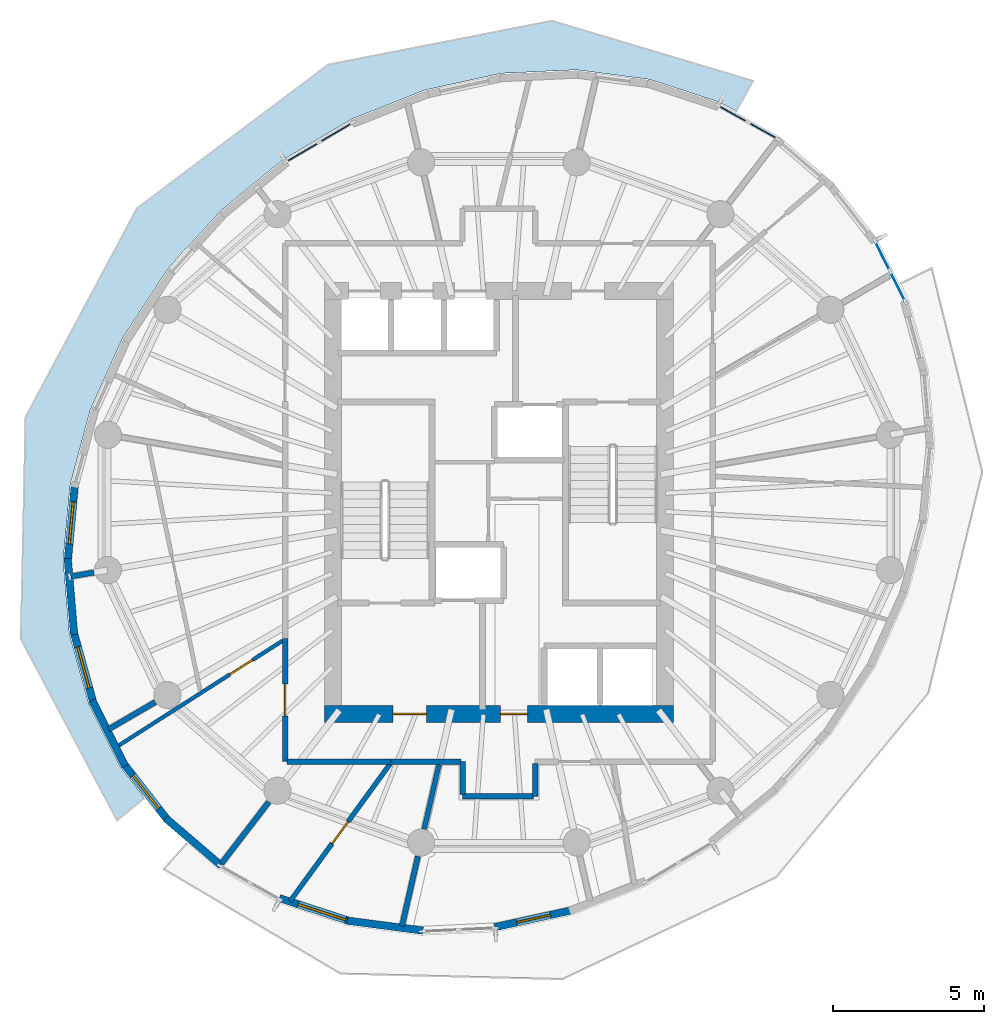
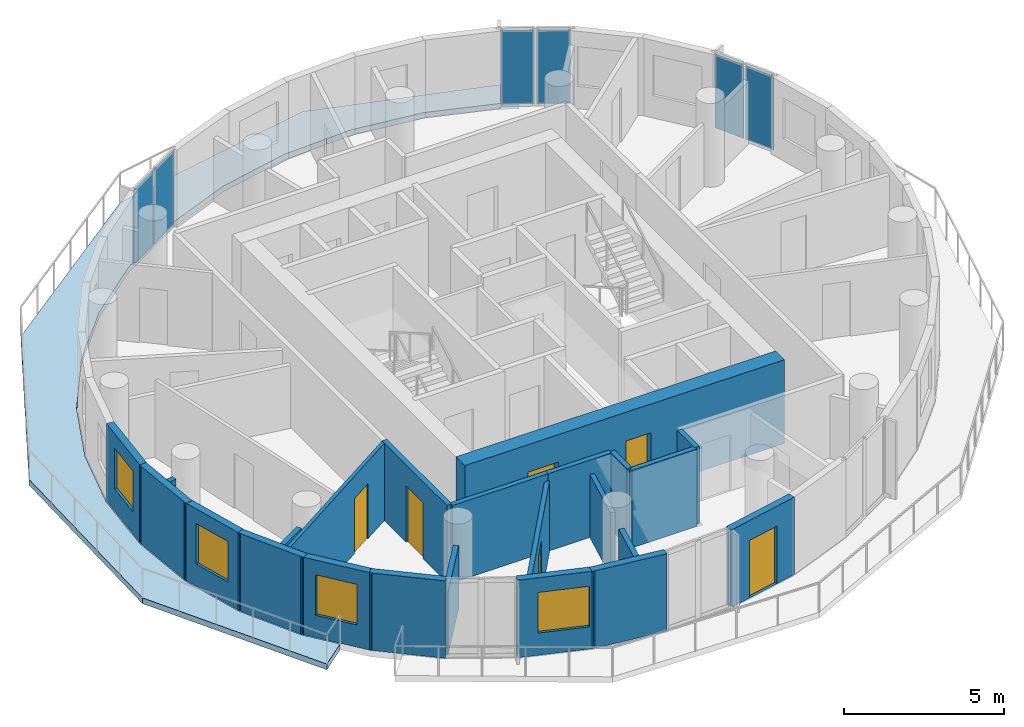
# One storey, part 4 of 10: 23 walls, 6 doors, 6 plates, 4 windows, 1 slab, 10 openings, 3 elements without a shape of their own.
"""IFC4 building model written with IfcOpenShell, lengths in metres."""

from ifc_helpers import new_model, si_unit, direction, frame, frame_2d, origin, origin_2d, place, context, subcontext, project, spatial, polyline, rectangle, outline, extrude, material, layer, layer_set, type_object, element, fill, aggregate, save


model = new_model("IFC4")

# Units and contexts
model_context = context("Model", 3, precision=1e-05, world=origin(), true_north=direction((0.0, 1.0)))
body_context = subcontext(model_context, "Body", "Model", "MODEL_VIEW")
ifc_project = project(units=[si_unit("LENGTHUNIT", "METRE"), si_unit("AREAUNIT", "SQUARE_METRE"), si_unit("VOLUMEUNIT", "CUBIC_METRE"), si_unit("PLANEANGLEUNIT", "RADIAN"), si_unit("MASSUNIT", "GRAM", prefix="KILO")], contexts=[model_context])

# Site, building, storey
site_placement = place(None, origin())
site = spatial("IfcSite", under=ifc_project, at=site_placement, CompositionType="ELEMENT")
building_placement = place(site_placement, origin())
building = spatial("IfcBuilding", under=site, at=building_placement, Name="Veldorim Arch Residences", CompositionType="ELEMENT")
storey_placement = place(building_placement, frame((0.0, 0.0, 182.239990234375)))
storey = spatial("IfcBuildingStorey", under=building, at=storey_placement, Name="L54", CompositionType="ELEMENT", Elevation=182.239990234375)

# Slab
ifc_material_1 = material(Name="Concrete C40/50", Category="concrete")
ifc_layer_1 = layer(ifc_material_1, 0.219970703125, Name="Planted Crescent Cantilever Balcony Slab 220")
ifc_layer_set_1 = layer_set([ifc_layer_1], Name="Concrete C40/50")
slab_type = type_object("IfcSlabType", Name="Planted Crescent Cantilever Balcony Slab 220", PredefinedType="FLOOR", material=ifc_layer_set_1)
slab_placement = place(storey_placement, frame((0.0, 0.0, -0.219970703125)))
element("IfcSlab", 1, at=slab_placement, inside=storey, type_object=slab_type, Name="L54 planted crescent balcony slab A", PredefinedType="FLOOR", context=body_context, shape_type="SweptSolid", body=[
    extrude(outline(polyline([(39.86279296875, 36.956298828125), (39.275146484375, 37.260009765625), (37.001220703125, 38.00390625), (34.575439453125, 38.322265625), (33.7724609375, 38.284912109375), (33.6787109375, 38.30517578125), (33.556640625, 38.274658203125), (32.071533203125, 38.205322265625), (29.565673828125, 37.65673828125), (27.134033203125, 36.693359375), (24.85009765625, 35.3447265625), (22.783447265625, 33.651123046875), (21.719482421875, 32.46826171875), (21.622802734375, 32.393310546875), (20.99658203125, 31.664794921875), (19.544189453125, 29.445556640625), (18.469970703125, 27.060791015625), (17.806396484375, 24.582763671875), (17.57421875, 22.087158203125), (17.780517578125, 19.649169921875), (18.4189453125, 17.343505859375), (19.47021484375, 15.23974609375), (20.19482421875, 14.309814453125), (20.247314453125, 14.18994140625), (19.357177734375, 13.4619140625), (16.16650390625, 19.47705078125), (16.323974609375, 26.832275390625), (20.01220703125, 33.740966796875), (26.34228515625, 38.499267578125), (33.7568359375, 39.950927734375), (40.422607421875, 37.9609375), (39.86279296875, 36.956298828125)])), origin(), (0.0, 0.0, 1.0), 0.219970703125),
])

# Curtain wall, plates
ifc_material_2 = material(Name="Aluminium", Category="aluminium")
curtain_wall_type = type_object("IfcCurtainWallType", Name="Zone 4 High-Altitude Unitised Curtain Wall", PredefinedType="NOTDEFINED", material=ifc_material_2)
curtain_wall_1_placement = place(storey_placement, origin())
curtain_wall_1 = element("IfcCurtainWall", 2, at=curtain_wall_1_placement, inside=storey, type_object=curtain_wall_type, Name="L54 unitised curtain wall bay 02", PredefinedType="NOTDEFINED")
ifc_material_3 = material(Name="Laminated Low-E Glass", Category="glass")
ifc_layer_2 = layer(ifc_material_3, 0.030029296875, Name="Zone 4 High-Altitude Unitised Curtain Wall Glazing Panel 30")
ifc_layer_set_2 = layer_set([ifc_layer_2], Name="Laminated Low-E Glass")
plate_type = type_object("IfcPlateType", Name="Zone 4 High-Altitude Unitised Curtain Wall Glazing Panel 30", PredefinedType="CURTAIN_PANEL", material=ifc_layer_set_2)
plate_1_placement = place(storey_placement, frame((39.749755859375, 36.86328125, 0.074951171875), z_axis=(0.0, 0.0, 1.0), x_axis=(0.872990977539, -0.487736356175, 0.0)))
plate_1 = element("IfcPlate", 3, at=plate_1_placement, type_object=plate_type, Name="CW-Z4 panel 1.1", PredefinedType="CURTAIN_PANEL", context=body_context, shape_type="SweptSolid", body=[
    extrude(rectangle(XDim=1.060791015625, YDim=0.030029296875, at=origin_2d()), origin(), (0.0, 0.0, 1.0), 2.81005859375),
])
plate_2_placement = place(storey_placement, frame((40.741455078125, 36.30908203125, 0.074951171875), z_axis=(0.0, 0.0, 1.0), x_axis=(0.872990977539, -0.487736356175, 0.0)))
plate_2 = element("IfcPlate", 4, at=plate_2_placement, type_object=plate_type, Name="CW-Z4 panel 2.1", PredefinedType="CURTAIN_PANEL", context=body_context, shape_type="SweptSolid", body=[
    extrude(rectangle(XDim=1.060791015625, YDim=0.030029296875, at=origin_2d()), origin(), (0.0, 0.0, 1.0), 2.81005859375),
])
aggregate(curtain_wall_1, [plate_1, plate_2])

curtain_wall_2_placement = place(storey_placement, origin())
curtain_wall_2 = element("IfcCurtainWall", 5, at=curtain_wall_2_placement, inside=storey, type_object=curtain_wall_type, Name="L54 unitised curtain wall bay 08", PredefinedType="NOTDEFINED")
plate_3_placement = place(storey_placement, frame((25.49658203125, 35.5927734375, 0.074951171875), z_axis=(0.0, 0.0, 1.0), x_axis=(0.861053534494, 0.508514317139, 0.0)))
plate_3 = element("IfcPlate", 6, at=plate_3_placement, type_object=plate_type, Name="CW-Z4 panel 1.1", PredefinedType="CURTAIN_PANEL", context=body_context, shape_type="SweptSolid", body=[
    extrude(rectangle(XDim=1.211669921875, YDim=0.030029296875, at=origin_2d()), origin(), (0.0, 0.0, 1.0), 2.81005859375),
])
plate_4_placement = place(storey_placement, frame((26.6044921875, 36.2470703125, 0.074951171875), z_axis=(0.0, 0.0, 1.0), x_axis=(0.861053534494, 0.508514317139, 0.0)))
plate_4 = element("IfcPlate", 7, at=plate_4_placement, type_object=plate_type, Name="CW-Z4 panel 2.1", PredefinedType="CURTAIN_PANEL", context=body_context, shape_type="SweptSolid", body=[
    extrude(rectangle(XDim=1.211669921875, YDim=0.030029296875, at=origin_2d()), origin(), (0.0, 0.0, 1.0), 2.81005859375),
])
aggregate(curtain_wall_2, [plate_3, plate_4])

curtain_wall_3_placement = place(storey_placement, origin())
curtain_wall_3 = element("IfcCurtainWall", 8, at=curtain_wall_3_placement, inside=storey, type_object=curtain_wall_type, Name="L54 unitised curtain wall bay 35", PredefinedType="NOTDEFINED")
plate_5_placement = place(storey_placement, frame((44.69873046875, 32.1650390625, 0.074951171875), z_axis=(0.0, 0.0, 1.0), x_axis=(0.446992003276, -0.894537952804, 0.0)))
plate_5 = element("IfcPlate", 9, at=plate_5_placement, type_object=plate_type, Name="CW-Z4 panel 1.1", PredefinedType="CURTAIN_PANEL", context=body_context, shape_type="SweptSolid", body=[
    extrude(rectangle(XDim=1.060791015625, YDim=0.030029296875, at=origin_2d()), origin(), (0.0, 0.0, 1.0), 2.81005859375),
])
plate_6_placement = place(storey_placement, frame((45.20654296875, 31.14892578125, 0.074951171875), z_axis=(0.0, 0.0, 1.0), x_axis=(0.446992003276, -0.894537952804, 0.0)))
plate_6 = element("IfcPlate", 10, at=plate_6_placement, type_object=plate_type, Name="CW-Z4 panel 2.1", PredefinedType="CURTAIN_PANEL", context=body_context, shape_type="SweptSolid", body=[
    extrude(rectangle(XDim=1.060791015625, YDim=0.030029296875, at=origin_2d()), origin(), (0.0, 0.0, 1.0), 2.81005859375),
])
aggregate(curtain_wall_3, [plate_5, plate_6])

# Wall, opening, door
ifc_material_4 = material(Name="Acoustic Gypsum Board", Category="gypsum")
ifc_layer_3 = layer(ifc_material_4, 0.125, Name="Acoustic Stud Room Partition Wall 125")
ifc_layer_set_3 = layer_set([ifc_layer_3], Name="Acoustic Gypsum Board")
wall_type_1 = type_object("IfcWallType", Name="Acoustic Stud Room Partition Wall 125", PredefinedType="PARTITIONING", material=ifc_layer_set_3)
wall_1_placement = place(storey_placement, frame((19.326416015625, 15.896240234375, 0.0), z_axis=(0.0, 0.0, 1.0), x_axis=(0.842495759882, 0.538702974357, 0.0)))
wall_1 = element("IfcWall", 11, at=wall_1_placement, inside=storey, type_object=wall_type_1, Name="L54 interior wall WL-RES-L54-031", PredefinedType="PARTITIONING", context=body_context, shape_type="SweptSolid", body=[
    extrude(rectangle(XDim=6.539306640625, YDim=0.125, at=frame_2d((3.26953125, 0.0))), origin(), (0.0, 0.0, 1.0), 2.955078125),
])
opening_1_placement = place(wall_1_placement, frame((4.469482421875, 0.0, 0.0)))
opening_1 = element("IfcOpeningElement", 12, at=opening_1_placement, cuts=wall_1, Name="Opening DR-INT", PredefinedType="OPENING", context=body_context, shape_type="SweptSolid", body=[
    extrude(rectangle(XDim=0.89990234375, YDim=2.10009765625, at=frame_2d((0.449951171875, 1.050048828125))), frame((0.0, 0.072509765625, 0.0), z_axis=(0.0, -1.0, 0.0), x_axis=(1.0, 0.0, 0.0)), (0.0, 0.0, 1.0), 0.14501953125),
])
ifc_material_5 = material(Name="Engineered Timber", Category="wood")
door_type_1 = type_object("IfcDoorType", Name="Apartment Internal Room Timber Door 900x2100", OperationType="SINGLE_SWING_LEFT", PredefinedType="DOOR", material=ifc_material_5)
door_1_placement = place(opening_1_placement, origin())
door_1 = element("IfcDoor", 13, at=door_1_placement, inside=storey, type_object=door_type_1, Name="L54 interior door DR-RES-L54-016", OperationType="SINGLE_SWING_RIGHT", OverallHeight=2.10009765625, OverallWidth=0.89990234375, PredefinedType="DOOR", context=body_context, shape_type="SweptSolid", body=[
    extrude(rectangle(XDim=0.89990234375, YDim=2.10009765625, at=frame_2d((0.449951171875, 1.050048828125))), frame((0.0, 0.02490234375, 0.0), z_axis=(0.0, -1.0, 0.0), x_axis=(1.0, 0.0, 0.0)), (0.0, 0.0, 1.0), 0.050048828125),
])
fill(opening_1, door_1)

# Walls
ifc_material_6 = material(Name="Lightweight Masonry Block & Gypsum", Category="masonry")
ifc_layer_4 = layer(ifc_material_6, 0.179931640625, Name="Compartment & Corridor Fire-Rated Party Wall 180")
ifc_layer_set_4 = layer_set([ifc_layer_4], Name="Lightweight Masonry Block & Gypsum")
wall_type_2 = type_object("IfcWallType", Name="Compartment & Corridor Fire-Rated Party Wall 180", PredefinedType="PARTITIONING", material=ifc_layer_set_4)
wall_2_placement = place(storey_placement, frame((18.590576171875, 21.680419921875, 0.0), z_axis=(0.0, 0.0, 1.0), x_axis=(-0.985363715758, -0.170465092225, 0.0)))
element("IfcWall", 14, at=wall_2_placement, inside=storey, type_object=wall_type_2, Name="L54 interior wall WL-PIER-L54-09", PredefinedType="PARTITIONING", context=body_context, shape_type="SweptSolid", body=[
    extrude(rectangle(XDim=0.7763671875, YDim=0.179931640625, at=frame_2d((0.38818359375, 0.0))), origin(), (0.0, 0.0, 1.0), 2.4033203125),
])
wall_3_placement = place(storey_placement, frame((20.6181640625, 17.385986328125, 0.0), z_axis=(0.0, 0.0, 1.0), x_axis=(-0.86456661279, -0.502518230563, 0.0)))
element("IfcWall", 15, at=wall_3_placement, inside=storey, type_object=wall_type_2, Name="L54 interior wall WL-PIER-L54-10", PredefinedType="PARTITIONING", context=body_context, shape_type="SweptSolid", body=[
    extrude(rectangle(XDim=1.784912109375, YDim=0.179931640625, at=frame_2d((0.892578125, 0.0))), origin(), (0.0, 0.0, 1.0), 2.4033203125),
])
wall_4_placement = place(storey_placement, frame((24.380126953125, 14.08203125, 0.0), z_axis=(0.0, 0.0, 1.0), x_axis=(-0.609164681512, -0.793043750873, 0.0)))
element("IfcWall", 16, at=wall_4_placement, inside=storey, type_object=wall_type_2, Name="L54 interior wall WL-PIER-L54-11", PredefinedType="PARTITIONING", context=body_context, shape_type="SweptSolid", body=[
    extrude(rectangle(XDim=2.57177734375, YDim=0.179931640625, at=frame_2d((1.285888671875, 0.0))), origin(), (0.0, 0.0, 1.0), 2.4033203125),
])
wall_5_placement = place(storey_placement, frame((29.320068359375, 12.282470703125, 0.0), z_axis=(0.0, 0.0, 1.0), x_axis=(-0.223011847659, -0.974815734282, 0.0)))
element("IfcWall", 17, at=wall_5_placement, inside=storey, type_object=wall_type_2, Name="L54 interior wall WL-PIER-L54-12", PredefinedType="PARTITIONING", context=body_context, shape_type="SweptSolid", body=[
    extrude(rectangle(XDim=2.37451171875, YDim=0.179931640625, at=frame_2d((1.187255859375, 0.0))), origin(), (0.0, 0.0, 1.0), 2.4033203125),
])
wall_6_placement = place(storey_placement, frame((33.199951171875, 15.360107421875, 0.0), z_axis=(0.0, 0.0, 1.0), x_axis=(0.0, -1.0, 0.0)))
element("IfcWall", 18, at=wall_6_placement, inside=storey, type_object=wall_type_2, Name="L54 interior wall WL-RES-L54-002", PredefinedType="PARTITIONING", context=body_context, shape_type="SweptSolid", body=[
    extrude(rectangle(XDim=1.090087890625, YDim=0.179931640625, at=frame_2d((0.544921875, 0.0))), origin(), (0.0, 0.0, 1.0), 2.955078125),
])
wall_7_placement = place(storey_placement, frame((33.139892578125, 14.27001953125, 0.0), z_axis=(0.0, 0.0, 1.0), x_axis=(-1.0, 0.0, 0.0)))
element("IfcWall", 19, at=wall_7_placement, inside=storey, type_object=wall_type_2, Name="L54 interior wall WL-RES-L54-003", PredefinedType="PARTITIONING", context=body_context, shape_type="SweptSolid", body=[
    extrude(rectangle(XDim=2.33984375, YDim=0.179931640625, at=frame_2d((1.169921875, 0.0))), origin(), (0.0, 0.0, 1.0), 2.955078125),
])
wall_8_placement = place(storey_placement, frame((30.800048828125, 14.330078125, 0.0), z_axis=(0.0, 0.0, 1.0), x_axis=(0.0, 1.0, 0.0)))
element("IfcWall", 20, at=wall_8_placement, inside=storey, type_object=wall_type_2, Name="L54 interior wall WL-RES-L54-004", PredefinedType="PARTITIONING", context=body_context, shape_type="SweptSolid", body=[
    extrude(rectangle(XDim=1.08984375, YDim=0.179931640625, at=frame_2d((0.544921875, 0.0))), origin(), (0.0, 0.0, 1.0), 2.955078125),
])
wall_9_placement = place(storey_placement, frame((30.739990234375, 15.419921875, 0.0), z_axis=(0.0, 0.0, 1.0), x_axis=(-1.0, 0.0, 0.0)))
element("IfcWall", 21, at=wall_9_placement, inside=storey, type_object=wall_type_2, Name="L54 interior wall WL-RES-L54-005", PredefinedType="PARTITIONING", context=body_context, shape_type="SweptSolid", body=[
    extrude(rectangle(XDim=2.309326171875, YDim=0.179931640625, at=frame_2d((1.15478515625, 0.0))), origin(), (0.0, 0.0, 1.0), 2.955078125),
])

# Wall, opening, door
wall_10_placement = place(storey_placement, frame((24.919921875, 15.419921875, 0.0), z_axis=(0.0, 0.0, 1.0), x_axis=(0.0, 1.0, 0.0)))
wall_10 = element("IfcWall", 22, at=wall_10_placement, inside=storey, type_object=wall_type_2, Name="L54 interior wall WL-RES-L54-014", PredefinedType="PARTITIONING", context=body_context, shape_type="SweptSolid", body=[
    extrude(rectangle(XDim=4.072998046875, YDim=0.179931640625, at=frame_2d((2.03662109375, 0.0))), origin(), (0.0, 0.0, 1.0), 2.955078125),
])
opening_2_placement = place(wall_10_placement, frame((1.511474609375, 0.0, 0.0)))
opening_2 = element("IfcOpeningElement", 23, at=opening_2_placement, cuts=wall_10, Name="Opening DR-FLT", PredefinedType="OPENING", context=body_context, shape_type="SweptSolid", body=[
    extrude(rectangle(XDim=1.050048828125, YDim=2.14990234375, at=frame_2d((0.52490234375, 1.074951171875))), frame((0.0, 0.099853515625, 0.0), z_axis=(0.0, -1.0, 0.0), x_axis=(1.0, 0.0, 0.0)), (0.0, 0.0, 1.0), 0.199951171875),
])
ifc_material_7 = material(Name="Fire-Rated Timber", Category="wood")
door_type_2 = type_object("IfcDoorType", Name="Apartment Entrance Solid-Core Fire Door 1050x2150", OperationType="SINGLE_SWING_LEFT", PredefinedType="DOOR", material=ifc_material_7)
door_2_placement = place(opening_2_placement, origin())
door_2 = element("IfcDoor", 24, at=door_2_placement, inside=storey, type_object=door_type_2, Name="L54 interior door DR-RES-L54-014", OperationType="SINGLE_SWING_RIGHT", OverallHeight=2.14990234375, OverallWidth=1.050048828125, PredefinedType="DOOR", context=body_context, shape_type="SweptSolid", body=[
    extrude(rectangle(XDim=1.050048828125, YDim=2.14990234375, at=frame_2d((0.52490234375, 1.074951171875))), frame((0.0, 0.02490234375, 0.0), z_axis=(0.0, -1.0, 0.0), x_axis=(1.0, 0.0, 0.0)), (0.0, 0.0, 1.0), 0.050048828125),
])
fill(opening_2, door_2)

# Wall
wall_11_placement = place(storey_placement, frame((28.475341796875, 15.419921875, 0.0), z_axis=(0.0, 0.0, 1.0), x_axis=(-1.0, 0.0, 0.0)))
element("IfcWall", 25, at=wall_11_placement, inside=storey, type_object=wall_type_2, Name="L54 interior wall WL-RES-L54-015", PredefinedType="PARTITIONING", context=body_context, shape_type="SweptSolid", body=[
    extrude(rectangle(XDim=3.495361328125, YDim=0.179931640625, at=frame_2d((1.74755859375, 0.0))), origin(), (0.0, 0.0, 1.0), 2.955078125),
])

# Wall, opening, window
ifc_material_8 = material(Name="Precast concrete C40/50", Category="concrete")
ifc_layer_5 = layer(ifc_material_8, 0.25, Name="Tower Terracotta Spandrel & Pier Wall 250")
ifc_layer_set_5 = layer_set([ifc_layer_5], Name="Precast concrete C40/50")
wall_type_3 = type_object("IfcWallType", Name="Tower Terracotta Spandrel & Pier Wall 250", PredefinedType="SOLIDWALL", material=ifc_layer_set_5)
wall_12_placement = place(storey_placement, frame((17.7197265625, 22.030517578125, 0.0), z_axis=(0.0, 0.0, 1.0), x_axis=(0.092582110032, 0.995705053167, 0.0)))
wall_12 = element("IfcWall", 26, at=wall_12_placement, inside=storey, type_object=wall_type_3, Name="L54 terracotta facade wall 14", PredefinedType="SOLIDWALL", context=body_context, shape_type="SweptSolid", body=[
    extrude(rectangle(XDim=2.59228515625, YDim=0.25, at=frame_2d((1.296142578125, 0.0))), origin(), (0.0, 0.0, 1.0), 2.9599609375),
])
opening_3_placement = place(wall_12_placement, frame((0.595947265625, 0.0, 0.85009765625)))
opening_3 = element("IfcOpeningElement", 27, at=opening_3_placement, cuts=wall_12, Name="Opening WN-02", PredefinedType="OPENING", context=body_context, shape_type="SweptSolid", body=[
    extrude(rectangle(XDim=1.39990234375, YDim=1.550048828125, at=frame_2d((0.699951171875, 0.77490234375))), frame((0.0, 0.135009765625, 0.0), z_axis=(0.0, -1.0, 0.0), x_axis=(1.0, 0.0, 0.0)), (0.0, 0.0, 1.0), 0.27001953125),
])
ifc_material_9 = material(Name="Laminated Low-E Glass", Category="glass")
window_type_1 = type_object("IfcWindowType", Name="Residential Casement Window 1400x1550", PartitioningType="SINGLE_PANEL", PredefinedType="WINDOW", material=ifc_material_9)
window_1_placement = place(opening_3_placement, origin())
window_1 = element("IfcWindow", 28, at=window_1_placement, inside=storey, type_object=window_type_1, Name="L54 solar-control facade window 14", OverallHeight=1.550048828125, OverallWidth=1.39990234375, PartitioningType="SINGLE_PANEL", PredefinedType="WINDOW", context=body_context, shape_type="SweptSolid", body=[
    extrude(rectangle(XDim=1.39990234375, YDim=1.550048828125, at=frame_2d((0.699951171875, 0.77490234375))), frame((0.0, 0.030029296875, 0.0), z_axis=(0.0, -1.0, 0.0), x_axis=(1.0, 0.0, 0.0)), (0.0, 0.0, 1.0), 0.06005859375),
])
fill(opening_3, window_1)

# Wall
wall_13_placement = place(storey_placement, frame((17.93359375, 19.619384765625, 0.0), z_axis=(0.0, 0.0, 1.0), x_axis=(-0.084274320236, 0.996442591898, 0.0)))
element("IfcWall", 29, at=wall_13_placement, inside=storey, type_object=wall_type_3, Name="L54 terracotta facade wall 15", PredefinedType="SOLIDWALL", context=body_context, shape_type="SweptSolid", body=[
    extrude(rectangle(XDim=2.531982421875, YDim=0.25, at=frame_2d((1.26611328125, 0.0))), origin(), (0.0, 0.0, 1.0), 2.9599609375),
])

# Wall, opening, window
wall_14_placement = place(storey_placement, frame((18.57470703125, 17.34228515625, 0.0), z_axis=(0.0, 0.0, 1.0), x_axis=(-0.266734060973, 0.96377017007, 0.0)))
wall_14 = element("IfcWall", 30, at=wall_14_placement, inside=storey, type_object=wall_type_3, Name="L54 terracotta facade wall 16", PredefinedType="SOLIDWALL", context=body_context, shape_type="SweptSolid", body=[
    extrude(rectangle(XDim=2.477783203125, YDim=0.25, at=frame_2d((1.23876953125, 0.0))), origin(), (0.0, 0.0, 1.0), 2.9599609375),
])
opening_4_placement = place(wall_14_placement, frame((0.5390625, 0.0, 0.85009765625)))
opening_4 = element("IfcOpeningElement", 31, at=opening_4_placement, cuts=wall_14, Name="Opening WN-02", PredefinedType="OPENING", context=body_context, shape_type="SweptSolid", body=[
    extrude(rectangle(XDim=1.39990234375, YDim=1.550048828125, at=frame_2d((0.699951171875, 0.77490234375))), frame((0.0, 0.135009765625, 0.0), z_axis=(0.0, -1.0, 0.0), x_axis=(1.0, 0.0, 0.0)), (0.0, 0.0, 1.0), 0.27001953125),
])
window_2_placement = place(opening_4_placement, origin())
window_2 = element("IfcWindow", 32, at=window_2_placement, inside=storey, type_object=window_type_1, Name="L54 solar-control facade window 16", OverallHeight=1.550048828125, OverallWidth=1.39990234375, PartitioningType="SINGLE_PANEL", PredefinedType="WINDOW", context=body_context, shape_type="SweptSolid", body=[
    extrude(rectangle(XDim=1.39990234375, YDim=1.550048828125, at=frame_2d((0.699951171875, 0.77490234375))), frame((0.0, 0.030029296875, 0.0), z_axis=(0.0, -1.0, 0.0), x_axis=(1.0, 0.0, 0.0)), (0.0, 0.0, 1.0), 0.06005859375),
])
fill(opening_4, window_2)

# Wall
wall_15_placement = place(storey_placement, frame((19.623291015625, 15.268798828125, 0.0), z_axis=(0.0, 0.0, 1.0), x_axis=(-0.447053282344, 0.894507329621, 0.0)))
element("IfcWall", 33, at=wall_15_placement, inside=storey, type_object=wall_type_3, Name="L54 terracotta facade wall 17", PredefinedType="SOLIDWALL", context=body_context, shape_type="SweptSolid", body=[
    extrude(rectangle(XDim=2.436767578125, YDim=0.25, at=frame_2d((1.21826171875, 0.0))), origin(), (0.0, 0.0, 1.0), 2.9599609375),
])

# Wall, opening, window
wall_16_placement = place(storey_placement, frame((21.046630859375, 13.460693359375, 0.0), z_axis=(0.0, 0.0, 1.0), x_axis=(-0.61468225386, 0.788774826417, 0.0)))
wall_16 = element("IfcWall", 34, at=wall_16_placement, inside=storey, type_object=wall_type_3, Name="L54 terracotta facade wall 18", PredefinedType="SOLIDWALL", context=body_context, shape_type="SweptSolid", body=[
    extrude(rectangle(XDim=2.414794921875, YDim=0.25, at=frame_2d((1.20751953125, 0.0))), origin(), (0.0, 0.0, 1.0), 2.9599609375),
])
opening_5_placement = place(wall_16_placement, frame((0.507080078125, 0.0, 0.85009765625)))
opening_5 = element("IfcOpeningElement", 35, at=opening_5_placement, cuts=wall_16, Name="Opening WN-02", PredefinedType="OPENING", context=body_context, shape_type="SweptSolid", body=[
    extrude(rectangle(XDim=1.39990234375, YDim=1.550048828125, at=frame_2d((0.699951171875, 0.77490234375))), frame((0.0, 0.135009765625, 0.0), z_axis=(0.0, -1.0, 0.0), x_axis=(1.0, 0.0, 0.0)), (0.0, 0.0, 1.0), 0.27001953125),
])
window_3_placement = place(opening_5_placement, origin())
window_3 = element("IfcWindow", 36, at=window_3_placement, inside=storey, type_object=window_type_1, Name="L54 solar-control facade window 18", OverallHeight=1.550048828125, OverallWidth=1.39990234375, PartitioningType="SINGLE_PANEL", PredefinedType="WINDOW", context=body_context, shape_type="SweptSolid", body=[
    extrude(rectangle(XDim=1.39990234375, YDim=1.550048828125, at=frame_2d((0.699951171875, 0.77490234375))), frame((0.0, 0.030029296875, 0.0), z_axis=(0.0, -1.0, 0.0), x_axis=(1.0, 0.0, 0.0)), (0.0, 0.0, 1.0), 0.06005859375),
])
fill(opening_5, window_3)

# Wall
wall_17_placement = place(storey_placement, frame((22.8017578125, 11.97314453125, 0.0), z_axis=(0.0, 0.0, 1.0), x_axis=(-0.759591927835, 0.65039995631, 0.0)))
element("IfcWall", 37, at=wall_17_placement, inside=storey, type_object=wall_type_3, Name="L54 terracotta facade wall 19", PredefinedType="SOLIDWALL", context=body_context, shape_type="SweptSolid", body=[
    extrude(rectangle(XDim=2.414794921875, YDim=0.25, at=frame_2d((1.20751953125, 0.0))), origin(), (0.0, 0.0, 1.0), 2.9599609375),
])

# Wall, opening, window
wall_18_placement = place(storey_placement, frame((27.0859375, 10.125244140625, 0.0), z_axis=(0.0, 0.0, 1.0), x_axis=(-0.950422545433, 0.310961388491, 0.0)))
wall_18 = element("IfcWall", 38, at=wall_18_placement, inside=storey, type_object=wall_type_3, Name="L54 terracotta facade wall 21", PredefinedType="SOLIDWALL", context=body_context, shape_type="SweptSolid", body=[
    extrude(rectangle(XDim=2.477783203125, YDim=0.25, at=frame_2d((1.23876953125, 0.0))), origin(), (0.0, 0.0, 1.0), 2.9599609375),
])
opening_6_placement = place(wall_18_placement, frame((0.175048828125, 0.0, 0.85009765625)))
opening_6 = element("IfcOpeningElement", 39, at=opening_6_placement, cuts=wall_18, Name="Opening WN-03", PredefinedType="OPENING", context=body_context, shape_type="SweptSolid", body=[
    extrude(rectangle(XDim=1.64990234375, YDim=1.550048828125, at=frame_2d((0.824951171875, 0.77490234375))), frame((0.0, 0.135009765625, 0.0), z_axis=(0.0, -1.0, 0.0), x_axis=(1.0, 0.0, 0.0)), (0.0, 0.0, 1.0), 0.27001953125),
])
ifc_material_10 = material(Name="Laminated Low-E Glass", Category="glass")
window_type_2 = type_object("IfcWindowType", Name="Residential Wide Window 1650x1550", PartitioningType="SINGLE_PANEL", PredefinedType="WINDOW", material=ifc_material_10)
window_4_placement = place(opening_6_placement, origin())
window_4 = element("IfcWindow", 40, at=window_4_placement, inside=storey, type_object=window_type_2, Name="L54 solar-control facade window 21", OverallHeight=1.550048828125, OverallWidth=1.64990234375, PartitioningType="SINGLE_PANEL", PredefinedType="WINDOW", context=body_context, shape_type="SweptSolid", body=[
    extrude(rectangle(XDim=1.64990234375, YDim=1.550048828125, at=frame_2d((0.824951171875, 0.77490234375))), frame((0.0, 0.030029296875, 0.0), z_axis=(0.0, -1.0, 0.0), x_axis=(1.0, 0.0, 0.0)), (0.0, 0.0, 1.0), 0.06005859375),
])
fill(opening_6, window_4)

# Wall
wall_19_placement = place(storey_placement, frame((29.486572265625, 9.82080078125, 0.0), z_axis=(0.0, 0.0, 1.0), x_axis=(-0.991491995227, 0.130167674176, 0.0)))
element("IfcWall", 41, at=wall_19_placement, inside=storey, type_object=wall_type_3, Name="L54 terracotta facade wall 22", PredefinedType="SOLIDWALL", context=body_context, shape_type="SweptSolid", body=[
    extrude(rectangle(XDim=2.531982421875, YDim=0.25, at=frame_2d((1.26611328125, 0.0))), origin(), (0.0, 0.0, 1.0), 2.9599609375),
])

# Wall, opening, door
wall_20_placement = place(storey_placement, frame((34.444091796875, 10.498779296875, 0.0), z_axis=(0.0, 0.0, 1.0), x_axis=(-0.976886196324, -0.213760051067, 0.0)))
wall_20 = element("IfcWall", 42, at=wall_20_placement, inside=storey, type_object=wall_type_3, Name="L54 terracotta facade wall 24", PredefinedType="SOLIDWALL", context=body_context, shape_type="SweptSolid", body=[
    extrude(rectangle(XDim=2.65087890625, YDim=0.25, at=frame_2d((1.325439453125, 0.0))), origin(), (0.0, 0.0, 1.0), 2.9599609375),
])
opening_7_placement = place(wall_20_placement, frame((0.7509765625, 0.0, 0.0)))
opening_7 = element("IfcOpeningElement", 43, at=opening_7_placement, cuts=wall_20, Name="Opening BL-DR", PredefinedType="OPENING", context=body_context, shape_type="SweptSolid", body=[
    extrude(rectangle(XDim=1.14990234375, YDim=2.199951171875, at=frame_2d((0.574951171875, 1.10009765625))), frame((0.0, 0.135009765625, 0.0), z_axis=(0.0, -1.0, 0.0), x_axis=(1.0, 0.0, 0.0)), (0.0, 0.0, 1.0), 0.27001953125),
])
ifc_material_11 = material(Name="Aluminium & Low-E Glass", Category="aluminium")
door_type_3 = type_object("IfcDoorType", Name="Glazed Planted Balcony Door 1150x2200", OperationType="SINGLE_SWING_LEFT", PredefinedType="DOOR", material=ifc_material_11)
door_3_placement = place(opening_7_placement, origin())
door_3 = element("IfcDoor", 44, at=door_3_placement, inside=storey, type_object=door_type_3, Name="L54 glazed outdoor terrace door BALC-2", OperationType="SINGLE_SWING_RIGHT", OverallHeight=2.199951171875, OverallWidth=1.14990234375, PredefinedType="DOOR", context=body_context, shape_type="SweptSolid", body=[
    extrude(rectangle(XDim=1.14990234375, YDim=2.199951171875, at=frame_2d((0.574951171875, 1.10009765625))), frame((0.0, 0.02490234375, 0.0), z_axis=(0.0, -1.0, 0.0), x_axis=(1.0, 0.0, 0.0)), (0.0, 0.0, 1.0), 0.050048828125),
])
fill(opening_7, door_3)

# Wall, openings, doors
ifc_material_12 = material(Name="Concrete C50/60", Category="concrete")
ifc_layer_6 = layer(ifc_material_12, 0.5, Name="Upper Central Core Shear Wall 560")
ifc_layer_set_6 = layer_set([ifc_layer_6], Name="Concrete C50/60")
wall_type_4 = type_object("IfcWallType", Name="Upper Central Core Shear Wall 560", PredefinedType="SHEAR", material=ifc_layer_set_6)
wall_21_placement = place(storey_placement, frame((26.219970703125, 17.0, 0.0), z_axis=(0.0, 0.0, 1.0), x_axis=(1.0, 0.0, 0.0)))
wall_21 = element("IfcWall", 45, at=wall_21_placement, inside=storey, type_object=wall_type_4, Name="L54 central core south shear wall", PredefinedType="SHEAR", context=body_context, shape_type="SweptSolid", body=[
    extrude(rectangle(XDim=11.56005859375, YDim=0.56005859375, at=frame_2d((5.780029296875, 0.0))), origin(), (0.0, 0.0, 1.0), 3.199951171875),
])
opening_8_placement = place(wall_21_placement, frame((2.280029296875, 0.0, 0.0)))
opening_8 = element("IfcOpeningElement", 46, at=opening_8_placement, cuts=wall_21, Name="Opening DR-FFL", PredefinedType="OPENING", context=body_context, shape_type="SweptSolid", body=[
    extrude(rectangle(XDim=1.10009765625, YDim=2.14990234375, at=frame_2d((0.550048828125, 1.074951171875))), frame((0.0, 0.2900390625, 0.0), z_axis=(0.0, -1.0, 0.0), x_axis=(1.0, 0.0, 0.0)), (0.0, 0.0, 1.0), 0.580078125),
])
opening_9_placement = place(wall_21_placement, frame((5.830078125, 0.0, 0.0)))
opening_9 = element("IfcOpeningElement", 47, at=opening_9_placement, cuts=wall_21, Name="Opening DR-SVC", PredefinedType="OPENING", context=body_context, shape_type="SweptSolid", body=[
    extrude(rectangle(XDim=0.89990234375, YDim=2.10009765625, at=frame_2d((0.449951171875, 1.050048828125))), frame((0.0, 0.2900390625, 0.0), z_axis=(0.0, -1.0, 0.0), x_axis=(1.0, 0.0, 0.0)), (0.0, 0.0, 1.0), 0.580078125),
])
ifc_material_13 = material(Name="Fire-Rated Steel & Vision Glass", Category="steel")
door_type_4 = type_object("IfcDoorType", Name="Firefighting Lobby Smoke-Stop Fire Door 1100x2150", OperationType="SINGLE_SWING_LEFT", PredefinedType="DOOR", material=ifc_material_13)
door_4_placement = place(opening_8_placement, origin())
door_4 = element("IfcDoor", 48, at=door_4_placement, inside=storey, type_object=door_type_4, Name="L54 interior door DR-L54-FFL1", OperationType="SINGLE_SWING_RIGHT", OverallHeight=2.14990234375, OverallWidth=1.10009765625, PredefinedType="DOOR", context=body_context, shape_type="SweptSolid", body=[
    extrude(rectangle(XDim=1.10009765625, YDim=2.14990234375, at=frame_2d((0.550048828125, 1.074951171875))), frame((0.0, 0.02490234375, 0.0), z_axis=(0.0, -1.0, 0.0), x_axis=(1.0, 0.0, 0.0)), (0.0, 0.0, 1.0), 0.050048828125),
])
fill(opening_8, door_4)
ifc_material_14 = material(Name="Fire-Rated Steel", Category="steel")
door_type_5 = type_object("IfcDoorType", Name="Riser, Shelter & Plant Room Rated Steel Door 900x2100", OperationType="SINGLE_SWING_LEFT", PredefinedType="DOOR", material=ifc_material_14)
door_5_placement = place(opening_9_placement, origin())
door_5 = element("IfcDoor", 49, at=door_5_placement, inside=storey, type_object=door_type_5, Name="L54 interior door DR-L54-COR-ANC", OperationType="SINGLE_SWING_LEFT", OverallHeight=2.10009765625, OverallWidth=0.89990234375, PredefinedType="DOOR", context=body_context, shape_type="SweptSolid", body=[
    extrude(rectangle(XDim=0.89990234375, YDim=2.10009765625, at=frame_2d((0.449951171875, 1.050048828125))), frame((0.0, 0.02490234375, 0.0), z_axis=(0.0, -1.0, 0.0), x_axis=(1.0, 0.0, 0.0)), (0.0, 0.0, 1.0), 0.050048828125),
])
fill(opening_9, door_5)

# Wall
ifc_material_15 = material(Name="Moisture-Resistant Gypsum & Stud", Category="gypsum")
ifc_layer_7 = layer(ifc_material_15, 0.159912109375, Name="Wet-Area Moisture-Resistant Plumbing Wall 160")
ifc_layer_set_7 = layer_set([ifc_layer_7], Name="Moisture-Resistant Gypsum & Stud")
wall_type_5 = type_object("IfcWallType", Name="Wet-Area Moisture-Resistant Plumbing Wall 160", PredefinedType="PLUMBINGWALL", material=ifc_layer_set_7)
wall_22_placement = place(storey_placement, frame((29.525146484375, 13.17919921875, 0.0), z_axis=(0.0, 0.0, 1.0), x_axis=(0.222969522248, 0.974825416241, 0.0)))
element("IfcWall", 50, at=wall_22_placement, inside=storey, type_object=wall_type_5, Name="L54 interior wall WL-RES-L54-017", PredefinedType="PLUMBINGWALL", context=body_context, shape_type="SweptSolid", body=[
    extrude(rectangle(XDim=2.19873046875, YDim=0.159912109375, at=frame_2d((1.099365234375, 0.0))), origin(), (0.0, 0.0, 1.0), 2.4033203125),
])

# Wall, opening, door
wall_23_placement = place(storey_placement, frame((28.396484375, 15.339111328125, 0.0), z_axis=(0.0, 0.0, 1.0), x_axis=(-0.588873823988, -0.808224980696, 0.0)))
wall_23 = element("IfcWall", 51, at=wall_23_placement, inside=storey, type_object=wall_type_5, Name="L54 interior wall WL-RES-L54-030", PredefinedType="PLUMBINGWALL", context=body_context, shape_type="SweptSolid", body=[
    extrude(rectangle(XDim=5.621826171875, YDim=0.159912109375, at=frame_2d((2.81103515625, 0.0))), origin(), (0.0, 0.0, 1.0), 2.69189453125),
])
opening_10_placement = place(wall_23_placement, frame((2.361083984375, 0.0, 0.0)))
opening_10 = element("IfcOpeningElement", 52, at=opening_10_placement, cuts=wall_23, Name="Opening DR-WC", PredefinedType="OPENING", context=body_context, shape_type="SweptSolid", body=[
    extrude(rectangle(XDim=0.89990234375, YDim=2.10009765625, at=frame_2d((0.449951171875, 1.050048828125))), frame((0.0, 0.08984375, 0.0), z_axis=(0.0, -1.0, 0.0), x_axis=(1.0, 0.0, 0.0)), (0.0, 0.0, 1.0), 0.179931640625),
])
ifc_material_16 = material(Name="Laminate Timber", Category="wood")
door_type_6 = type_object("IfcDoorType", Name="Bathroom & Accessible WC Moisture-Sealed Door 900x2100", OperationType="SINGLE_SWING_LEFT", PredefinedType="DOOR", material=ifc_material_16)
door_6_placement = place(opening_10_placement, origin())
door_6 = element("IfcDoor", 53, at=door_6_placement, inside=storey, type_object=door_type_6, Name="L54 interior door DR-RES-L54-015", OperationType="SINGLE_SWING_LEFT", OverallHeight=2.10009765625, OverallWidth=0.89990234375, PredefinedType="DOOR", context=body_context, shape_type="SweptSolid", body=[
    extrude(rectangle(XDim=0.89990234375, YDim=2.10009765625, at=frame_2d((0.449951171875, 1.050048828125))), frame((0.0, 0.02490234375, 0.0), z_axis=(0.0, -1.0, 0.0), x_axis=(1.0, 0.0, 0.0)), (0.0, 0.0, 1.0), 0.050048828125),
])
fill(opening_10, door_6)

save(model, "model.ifc")
